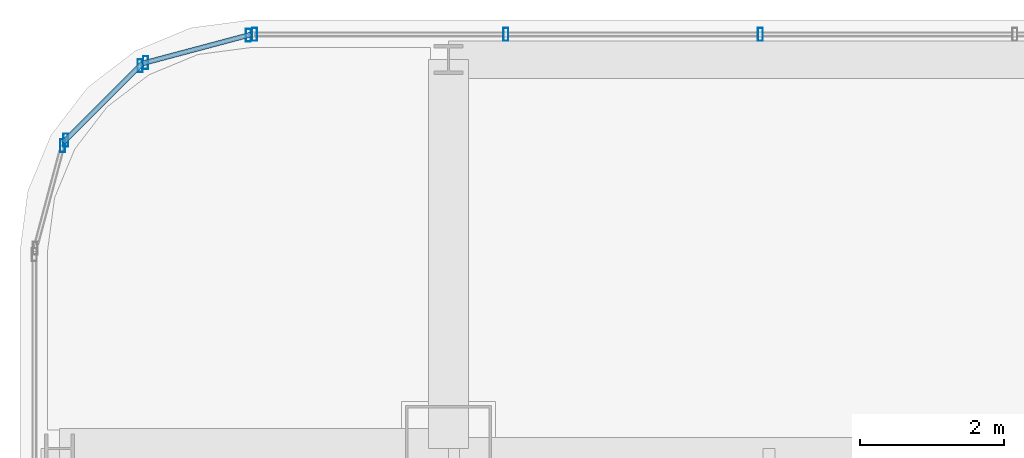
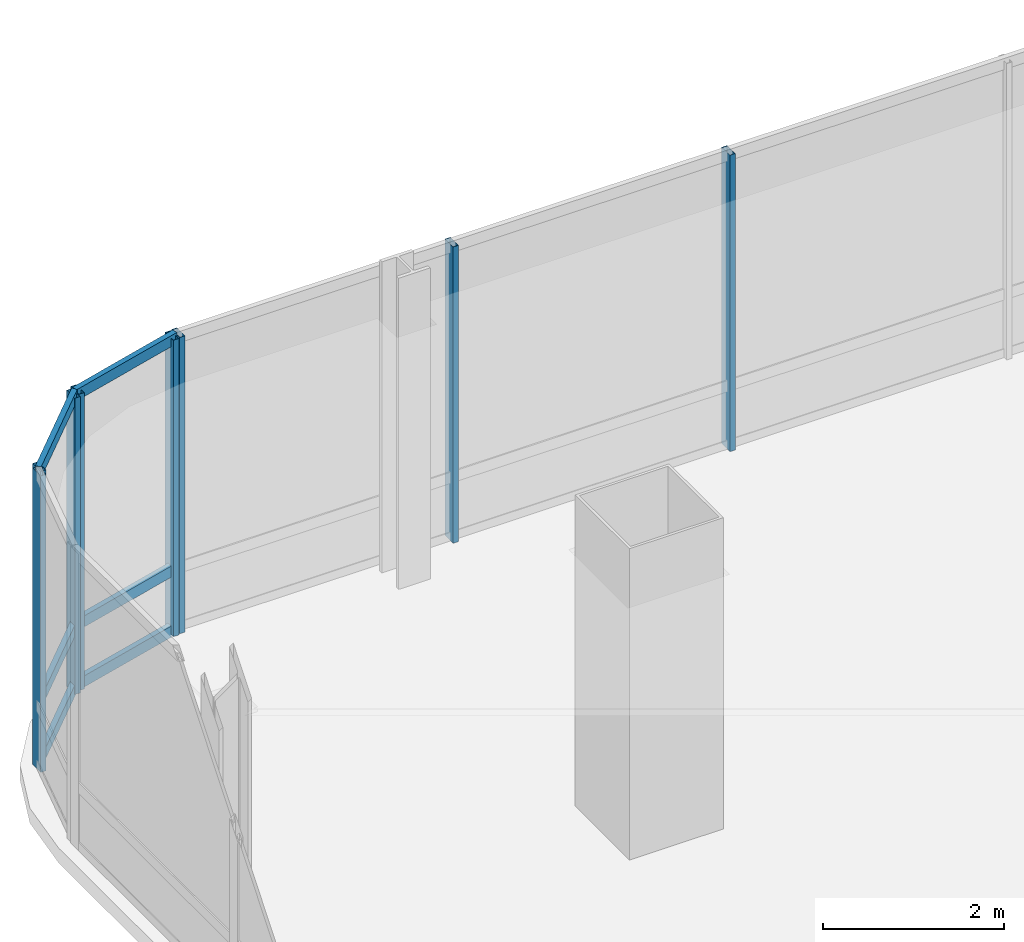
# One storey, part 23 of 41: 14 members, 4 elements without a shape of their own.
"""IFC4 building model written with IfcOpenShell, lengths in metres."""

from ifc_helpers import new_model, si_unit, direction, frame, origin, origin_2d, place, context, subcontext, project, spatial, hollow_rectangle, extrude, material, material_profile, profile_set, type_object, element, aggregate, save


model = new_model("IFC4")

# Units and contexts
model_context = context("Model", 3, precision=1e-05, world=origin(), true_north=direction((0.0, 1.0)))
body_context = subcontext(model_context, "Body", "Model", "MODEL_VIEW")
ifc_project = project(units=[si_unit("LENGTHUNIT", "METRE"), si_unit("AREAUNIT", "SQUARE_METRE"), si_unit("VOLUMEUNIT", "CUBIC_METRE"), si_unit("PLANEANGLEUNIT", "RADIAN"), si_unit("MASSUNIT", "GRAM", prefix="KILO")], contexts=[model_context])

# Site, building, storey
site_placement = place(None, origin())
site = spatial("IfcSite", under=ifc_project, at=site_placement, CompositionType="ELEMENT")
building_placement = place(site_placement, origin())
building = spatial("IfcBuilding", under=site, at=building_placement, Name="Punatoya Terracotta Tower", CompositionType="ELEMENT")
storey_placement = place(building_placement, frame((0.0, 0.0, 288.0)))
storey = spatial("IfcBuildingStorey", under=building, at=storey_placement, Name="L68", CompositionType="ELEMENT", Elevation=288.0)

# Curtain wall, members
ifc_material_1 = material(Name="Aluminium 6063-T6 + Double Low-E Glass", Category="aluminium")
curtain_wall_type = type_object("IfcCurtainWallType", Name="CW-M3", PredefinedType="NOTDEFINED", material=ifc_material_1)
curtain_wall_1_placement = place(storey_placement, origin())
curtain_wall_1 = element("IfcCurtainWall", 1, at=curtain_wall_1_placement, inside=storey, type_object=curtain_wall_type, Name="L68 Curtain Wall CW-L68-N09-1", PredefinedType="NOTDEFINED")
ifc_material_2 = material(Name="Aluminium 6063-T6", Category="aluminium")
ifc_material_profile_1 = material_profile(ifc_material_2, hollow_rectangle(XDim=0.070068359375, YDim=0.179931640625, WallThickness=0.00390625, at=origin_2d()))
ifc_profile_set_1 = profile_set([ifc_material_profile_1], Name="Aluminium 6063-T6")
member_type_1 = type_object("IfcMemberType", Name="CW-MUL-M3", PredefinedType="MULLION", material=ifc_profile_set_1)
member_1_placement = place(storey_placement, frame((-14.768798828125, 23.25, 0.0), z_axis=(0.0, 0.0, 1.0), x_axis=(1.0, 0.0, 0.0)))
member_1 = element("IfcMember", 2, at=member_1_placement, type_object=member_type_1, Name="CW-L68-N09-1 Mullion 09", PredefinedType="MULLION", context=body_context, shape_type="SweptSolid", body=[
    extrude(hollow_rectangle(XDim=0.070068359375, YDim=0.179931640625, WallThickness=0.00390625, at=origin_2d()), origin(), (0.0, 0.0, 1.0), 4.0),
])
member_2_placement = place(storey_placement, frame((-18.302978515625, 23.25, 0.0), z_axis=(0.0, 0.0, 1.0), x_axis=(1.0, 0.0, 0.0)))
member_2 = element("IfcMember", 3, at=member_2_placement, type_object=member_type_1, Name="CW-L68-N09-1 Mullion 10", PredefinedType="MULLION", context=body_context, shape_type="SweptSolid", body=[
    extrude(hollow_rectangle(XDim=0.070068359375, YDim=0.179931640625, WallThickness=0.00390625, at=origin_2d()), origin(), (0.0, 0.0, 1.0), 4.0),
])
member_3_placement = place(storey_placement, frame((-21.7919921875, 23.25, 0.0), z_axis=(0.0, 0.0, 1.0), x_axis=(1.0, 0.0, 0.0)))
member_3 = element("IfcMember", 4, at=member_3_placement, type_object=member_type_1, Name="CW-L68-N09-1 Mullion 11", PredefinedType="MULLION", context=body_context, shape_type="SweptSolid", body=[
    extrude(hollow_rectangle(XDim=0.070068359375, YDim=0.179931640625, WallThickness=0.00390625, at=origin_2d()), origin(), (0.0, 0.0, 1.0), 4.0),
])
aggregate(curtain_wall_1, [member_1, member_2, member_3])

curtain_wall_2_placement = place(storey_placement, origin())
curtain_wall_2 = element("IfcCurtainWall", 5, at=curtain_wall_2_placement, inside=storey, type_object=curtain_wall_type, Name="L68 Curtain Wall CW-L68-CRN10", PredefinedType="NOTDEFINED")
member_4_placement = place(storey_placement, frame((-21.88037109375, 23.23828125, 0.0), z_axis=(0.0, 0.0, 1.0), x_axis=(1.0, 0.0, 0.0)))
member_4 = element("IfcMember", 6, at=member_4_placement, type_object=member_type_1, Name="CW-L68-CRN10 Mullion 00", PredefinedType="MULLION", context=body_context, shape_type="SweptSolid", body=[
    extrude(hollow_rectangle(XDim=0.070068359375, YDim=0.179931640625, WallThickness=0.00390625, at=origin_2d()), origin(), (0.0, 0.0, 1.0), 4.0),
])
member_5_placement = place(storey_placement, frame((-23.3056640625, 22.858154296875, 0.0), z_axis=(0.0, 0.0, 1.0), x_axis=(1.0, 0.0, 0.0)))
member_5 = element("IfcMember", 7, at=member_5_placement, type_object=member_type_1, Name="CW-L68-CRN10 Mullion 01", PredefinedType="MULLION", context=body_context, shape_type="SweptSolid", body=[
    extrude(hollow_rectangle(XDim=0.070068359375, YDim=0.179931640625, WallThickness=0.00390625, at=origin_2d()), origin(), (0.0, 0.0, 1.0), 4.0),
])

curtain_wall_3_placement = place(storey_placement, origin())
curtain_wall_3 = element("IfcCurtainWall", 8, at=curtain_wall_3_placement, inside=storey, type_object=curtain_wall_type, Name="L68 Curtain Wall CW-L68-CRN11", PredefinedType="NOTDEFINED")
member_6_placement = place(storey_placement, frame((-23.380859375, 22.814697265625, 0.0), z_axis=(0.0, 0.0, 1.0), x_axis=(1.0, 0.0, 0.0)))
member_6 = element("IfcMember", 9, at=member_6_placement, type_object=member_type_1, Name="CW-L68-CRN11 Mullion 00", PredefinedType="MULLION", context=body_context, shape_type="SweptSolid", body=[
    extrude(hollow_rectangle(XDim=0.070068359375, YDim=0.179931640625, WallThickness=0.00390625, at=origin_2d()), origin(), (0.0, 0.0, 1.0), 4.0),
])
member_7_placement = place(storey_placement, frame((-24.414794921875, 21.781005859375, 0.0), z_axis=(0.0, 0.0, 1.0), x_axis=(1.0, 0.0, 0.0)))
member_7 = element("IfcMember", 10, at=member_7_placement, type_object=member_type_1, Name="CW-L68-CRN11 Mullion 01", PredefinedType="MULLION", context=body_context, shape_type="SweptSolid", body=[
    extrude(hollow_rectangle(XDim=0.070068359375, YDim=0.179931640625, WallThickness=0.00390625, at=origin_2d()), origin(), (0.0, 0.0, 1.0), 4.0),
])

# Curtain wall, member
curtain_wall_4_placement = place(storey_placement, origin())
curtain_wall_4 = element("IfcCurtainWall", 11, at=curtain_wall_4_placement, inside=storey, type_object=curtain_wall_type, Name="L68 Curtain Wall CW-L68-CRN12", PredefinedType="NOTDEFINED")
member_8_placement = place(storey_placement, frame((-24.458251953125, 21.70556640625, 0.0), z_axis=(0.0, 0.0, 1.0), x_axis=(1.0, 0.0, 0.0)))
member_8 = element("IfcMember", 12, at=member_8_placement, type_object=member_type_1, Name="CW-L68-CRN12 Mullion 00", PredefinedType="MULLION", context=body_context, shape_type="SweptSolid", body=[
    extrude(hollow_rectangle(XDim=0.070068359375, YDim=0.179931640625, WallThickness=0.00390625, at=origin_2d()), origin(), (0.0, 0.0, 1.0), 4.0),
])
aggregate(curtain_wall_4, [member_8])

# Member
ifc_material_profile_2 = material_profile(ifc_material_2, hollow_rectangle(XDim=0.068115234375, YDim=0.14990234375, WallThickness=0.00390625, at=origin_2d()))
ifc_profile_set_2 = profile_set([ifc_material_profile_2], Name="Aluminium 6063-T6")
member_type_2 = type_object("IfcMemberType", Name="CW-TRN-TYP", PredefinedType="USERDEFINED", material=ifc_profile_set_2)
member_9_placement = place(storey_placement, frame((-21.8369140625, 23.25, 0.0400390625), z_axis=(-0.966224582397, -0.257701486942, 0.0), x_axis=(0.257701486942, -0.966224582397, 0.0)))
member_9 = element("IfcMember", 13, at=member_9_placement, type_object=member_type_2, Name="CW-L68-CRN10 Transom 1", ObjectType="TRANSOM", PredefinedType="USERDEFINED", context=body_context, shape_type="SweptSolid", body=[
    extrude(hollow_rectangle(XDim=0.068115234375, YDim=0.14990234375, WallThickness=0.00390625, at=origin_2d()), origin(), (0.0, 0.0, 1.0), 1.565185546875),
])

member_10_placement = place(storey_placement, frame((-21.8369140625, 23.25, 0.85009765625), z_axis=(-0.966224582397, -0.257701486942, 0.0), x_axis=(0.257701486942, -0.966224582397, 0.0)))
member_10 = element("IfcMember", 14, at=member_10_placement, type_object=member_type_2, Name="CW-L68-CRN10 Transom 2", ObjectType="TRANSOM", PredefinedType="USERDEFINED", context=body_context, shape_type="SweptSolid", body=[
    extrude(hollow_rectangle(XDim=0.068115234375, YDim=0.14990234375, WallThickness=0.00390625, at=origin_2d()), origin(), (0.0, 0.0, 1.0), 1.565185546875),
])

member_11_placement = place(storey_placement, frame((-21.8369140625, 23.25, 3.9599609375), z_axis=(-0.966224582397, -0.257701486942, 0.0), x_axis=(0.257701486942, -0.966224582397, 0.0)))
member_11 = element("IfcMember", 15, at=member_11_placement, type_object=member_type_2, Name="CW-L68-CRN10 Transom 3", ObjectType="TRANSOM", PredefinedType="USERDEFINED", context=body_context, shape_type="SweptSolid", body=[
    extrude(hollow_rectangle(XDim=0.068115234375, YDim=0.14990234375, WallThickness=0.00390625, at=origin_2d()), origin(), (0.0, 0.0, 1.0), 1.565185546875),
])

aggregate(curtain_wall_2, [member_4, member_5, member_9, member_10, member_11])

member_12_placement = place(storey_placement, frame((-23.34912109375, 22.8466796875, 0.0400390625), z_axis=(-0.707028130747, -0.707185422879, 0.0), x_axis=(0.707185422879, -0.707028130747, 0.0)))
member_12 = element("IfcMember", 16, at=member_12_placement, type_object=member_type_2, Name="CW-L68-CRN11 Transom 1", ObjectType="TRANSOM", PredefinedType="USERDEFINED", context=body_context, shape_type="SweptSolid", body=[
    extrude(hollow_rectangle(XDim=0.068115234375, YDim=0.14990234375, WallThickness=0.00390625, at=origin_2d()), origin(), (0.0, 0.0, 1.0), 1.55224609375),
])

member_13_placement = place(storey_placement, frame((-23.34912109375, 22.8466796875, 0.85009765625), z_axis=(-0.707028130747, -0.707185422879, 0.0), x_axis=(0.707185422879, -0.707028130747, 0.0)))
member_13 = element("IfcMember", 17, at=member_13_placement, type_object=member_type_2, Name="CW-L68-CRN11 Transom 2", ObjectType="TRANSOM", PredefinedType="USERDEFINED", context=body_context, shape_type="SweptSolid", body=[
    extrude(hollow_rectangle(XDim=0.068115234375, YDim=0.14990234375, WallThickness=0.00390625, at=origin_2d()), origin(), (0.0, 0.0, 1.0), 1.55224609375),
])

member_14_placement = place(storey_placement, frame((-23.34912109375, 22.8466796875, 3.9599609375), z_axis=(-0.707028130747, -0.707185422879, 0.0), x_axis=(0.707185422879, -0.707028130747, 0.0)))
member_14 = element("IfcMember", 18, at=member_14_placement, type_object=member_type_2, Name="CW-L68-CRN11 Transom 3", ObjectType="TRANSOM", PredefinedType="USERDEFINED", context=body_context, shape_type="SweptSolid", body=[
    extrude(hollow_rectangle(XDim=0.068115234375, YDim=0.14990234375, WallThickness=0.00390625, at=origin_2d()), origin(), (0.0, 0.0, 1.0), 1.55224609375),
])

aggregate(curtain_wall_3, [member_6, member_7, member_12, member_13, member_14])

save(model, "model.ifc")
